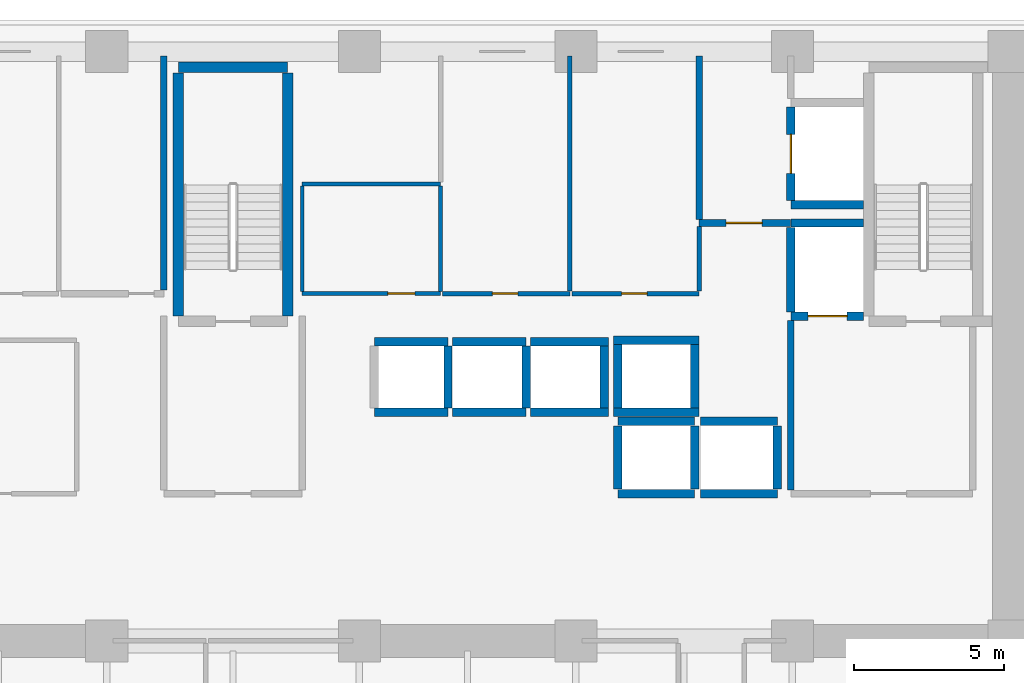
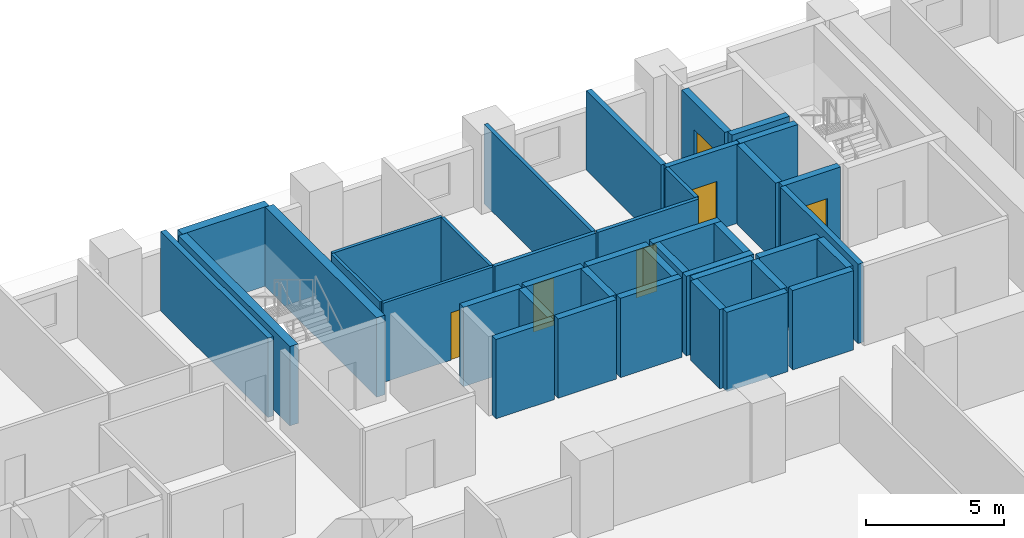
# One storey, part 8 of 15: 40 walls, 6 doors, 6 openings.
"""IFC4 building model written with IfcOpenShell, lengths in metres."""

from ifc_helpers import new_model, si_unit, direction, frame, frame_2d, origin, place, context, subcontext, project, spatial, rectangle, extrude, material, layer, layer_set, type_object, element, fill, save


model = new_model("IFC4")

# Units and contexts
model_context = context("Model", 3, precision=1e-05, world=origin(), true_north=direction((0.0, 1.0)))
body_context = subcontext(model_context, "Body", "Model", "MODEL_VIEW")
ifc_project = project(units=[si_unit("LENGTHUNIT", "METRE"), si_unit("AREAUNIT", "SQUARE_METRE"), si_unit("VOLUMEUNIT", "CUBIC_METRE"), si_unit("PLANEANGLEUNIT", "RADIAN"), si_unit("MASSUNIT", "GRAM", prefix="KILO")], contexts=[model_context])

# Site, building, storey
site_placement = place(None, origin())
site = spatial("IfcSite", under=ifc_project, at=site_placement, CompositionType="ELEMENT")
building_placement = place(site_placement, origin())
building = spatial("IfcBuilding", under=site, at=building_placement, Name="Kaelvorn Grand Hotel", CompositionType="ELEMENT")
storey_placement = place(building_placement, frame((0.0, 0.0, 46.39990234375)))
storey = spatial("IfcBuildingStorey", under=building, at=storey_placement, Name="L09", CompositionType="ELEMENT", Elevation=46.39990234375)

# Wall, opening, door
ifc_material_1 = material(Name="Moisture-Resistant Tile & Stud Board")
ifc_layer_1 = layer(ifc_material_1, 0.125)
ifc_layer_set_1 = layer_set([ifc_layer_1], Name="Moisture-Resistant Tile & Stud Board")
wall_type_1 = type_object("IfcWallType", Name="WL-PART-125-WET", PredefinedType="PARTITIONING", material=ifc_layer_set_1)
wall_1_placement = place(storey_placement, frame((44.300048828125, 40.949951171875, 0.0), z_axis=(0.0, 0.0, 1.0), x_axis=(1.0, 0.0, 0.0)))
wall_1 = element("IfcWall", 1, at=wall_1_placement, inside=storey, type_object=wall_type_1, Name="L09 Accessible WC S Partition", PredefinedType="PARTITIONING", context=body_context, shape_type="SweptSolid", body=[
    extrude(rectangle(XDim=4.599853515625, YDim=0.125, at=frame_2d((2.2998046875, 0.0))), origin(), (0.0, 0.0, 1.0), 3.510009765625),
])
opening_1_placement = place(wall_1_placement, frame((2.85009765625, 0.0, 0.0)))
opening_1 = element("IfcOpeningElement", 2, at=opening_1_placement, cuts=wall_1, Name="Opening DI4", PredefinedType="OPENING", context=body_context, shape_type="SweptSolid", body=[
    extrude(rectangle(XDim=0.89990234375, YDim=2.10009765625, at=frame_2d((0.449951171875, 1.050048828125))), frame((0.0, 0.072509765625, 0.0), z_axis=(0.0, -1.0, 0.0), x_axis=(1.0, 0.0, 0.0)), (0.0, 0.0, 1.0), 0.14501953125),
])
ifc_material_2 = material(Name="Timber Veneer Leaf", Category="wood")
door_type_1 = type_object("IfcDoorType", Name="DR-INT-BATH-900x2100", OperationType="NOTDEFINED", PredefinedType="DOOR", material=ifc_material_2)
door_1_placement = place(opening_1_placement, origin())
door_1 = element("IfcDoor", 3, at=door_1_placement, inside=storey, type_object=door_type_1, Name="L09 Accessible WC Door", OperationType="SINGLE_SWING_RIGHT", OverallHeight=2.10009765625, OverallWidth=0.89990234375, PredefinedType="DOOR", context=body_context, shape_type="SweptSolid", body=[
    extrude(rectangle(XDim=0.89990234375, YDim=2.10009765625, at=frame_2d((0.449951171875, 1.050048828125))), frame((0.0, 0.02490234375, 0.0), z_axis=(0.0, -1.0, 0.0), x_axis=(1.0, 0.0, 0.0)), (0.0, 0.0, 1.0), 0.050048828125),
])
fill(opening_1, door_1)

# Walls
wall_2_placement = place(storey_placement, frame((44.300048828125, 44.60009765625, 0.0), z_axis=(0.0, 0.0, 1.0), x_axis=(1.0, 0.0, 0.0)))
element("IfcWall", 4, at=wall_2_placement, inside=storey, type_object=wall_type_1, Name="L09 Accessible WC N Partition", PredefinedType="PARTITIONING", context=body_context, shape_type="SweptSolid", body=[
    extrude(rectangle(XDim=4.599853515625, YDim=0.125, at=frame_2d((2.2998046875, 0.0))), origin(), (0.0, 0.0, 1.0), 3.510009765625),
])
for number, where, z_axis, x_axis, name in (
    (5, (44.300048828125, 41.017578125, 0.0), (0.0, 0.0, 1.0), (0.0, 1.0, 0.0), "L09 Accessible WC W Partition"),
    (6, (48.89990234375, 41.017578125, 0.0), (0.0, 0.0, 1.0), (0.0, 1.0, 0.0), "L09 Accessible WC E Partition"),
):
    element("IfcWall", number, at=place(storey_placement, frame(where, z_axis=z_axis, x_axis=x_axis)), inside=storey, type_object=wall_type_1, Name=name, PredefinedType="PARTITIONING", context=body_context, shape_type="SweptSolid", body=[
        extrude(rectangle(XDim=3.514892578125, YDim=0.125, at=frame_2d((1.75732421875, 0.0))), origin(), (0.0, 0.0, 1.0), 3.510009765625),
    ])

# Wall, opening, door
ifc_material_3 = material(Name="Acoustic Gypsum & Stud Partition")
ifc_layer_2 = layer(ifc_material_3, 0.14990234375)
ifc_layer_set_2 = layer_set([ifc_layer_2], Name="Acoustic Gypsum & Stud Partition")
wall_type_2 = type_object("IfcWallType", Name="WL-PART-150-EI60", PredefinedType="PARTITIONING", material=ifc_layer_set_2)
wall_3_placement = place(storey_placement, frame((48.967529296875, 40.949951171875, 0.0), z_axis=(0.0, 0.0, 1.0), x_axis=(1.0, 0.0, 0.0)))
wall_3 = element("IfcWall", 7, at=wall_3_placement, inside=storey, type_object=wall_type_2, Name="L09 Minibar & Glassware Store S Partition", PredefinedType="PARTITIONING", context=body_context, shape_type="SweptSolid", body=[
    extrude(rectangle(XDim=4.232421875, YDim=0.14990234375, at=frame_2d((2.1162109375, 0.0))), origin(), (0.0, 0.0, 1.0), 3.510009765625),
])
opening_2_placement = place(wall_3_placement, frame((1.657470703125, 0.0, 0.0)))
opening_2 = element("IfcOpeningElement", 8, at=opening_2_placement, cuts=wall_3, Name="Opening DI7", PredefinedType="OPENING", context=body_context, shape_type="SweptSolid", body=[
    extrude(rectangle(XDim=0.85009765625, YDim=2.10009765625, at=frame_2d((0.425048828125, 1.050048828125))), frame((0.0, 0.0849609375, 0.0), z_axis=(0.0, -1.0, 0.0), x_axis=(1.0, 0.0, 0.0)), (0.0, 0.0, 1.0), 0.169921875),
])
ifc_material_4 = material(Name="Powder-Coated Steel Leaf", Category="steel")
door_type_2 = type_object("IfcDoorType", Name="DR-INT-RISER-850x2100", OperationType="NOTDEFINED", PredefinedType="DOOR", material=ifc_material_4)
door_2_placement = place(opening_2_placement, origin())
door_2 = element("IfcDoor", 9, at=door_2_placement, inside=storey, type_object=door_type_2, Name="L09 Minibar & Glassware Store Door", OperationType="SINGLE_SWING_LEFT", OverallHeight=2.10009765625, OverallWidth=0.85009765625, PredefinedType="DOOR", context=body_context, shape_type="SweptSolid", body=[
    extrude(rectangle(XDim=0.85009765625, YDim=2.10009765625, at=frame_2d((0.425048828125, 1.050048828125))), frame((0.0, 0.02490234375, 0.0), z_axis=(0.0, -1.0, 0.0), x_axis=(1.0, 0.0, 0.0)), (0.0, 0.0, 1.0), 0.050048828125),
])
fill(opening_2, door_2)

# Wall
wall_4_placement = place(storey_placement, frame((53.199951171875, 41.030029296875, 0.0), z_axis=(0.0, 0.0, 1.0), x_axis=(0.0, 1.0, 0.0)))
element("IfcWall", 10, at=wall_4_placement, inside=storey, type_object=wall_type_2, Name="L09 Minibar & Glassware Store E Partition", PredefinedType="PARTITIONING", context=body_context, shape_type="SweptSolid", body=[
    extrude(rectangle(XDim=7.820068359375, YDim=0.14990234375, at=frame_2d((3.91015625, 0.0))), origin(), (0.0, 0.0, 1.0), 3.510009765625),
])

# Wall, opening, door
wall_5_placement = place(storey_placement, frame((53.280029296875, 40.949951171875, 0.0), z_axis=(0.0, 0.0, 1.0), x_axis=(1.0, 0.0, 0.0)))
wall_5 = element("IfcWall", 11, at=wall_5_placement, inside=storey, type_object=wall_type_2, Name="L09 Floor IT & Comms Room S Partition", PredefinedType="PARTITIONING", context=body_context, shape_type="SweptSolid", body=[
    extrude(rectangle(XDim=4.219970703125, YDim=0.14990234375, at=frame_2d((2.10986328125, 0.0))), origin(), (0.0, 0.0, 1.0), 3.510009765625),
])
opening_3_placement = place(wall_5_placement, frame((1.64501953125, 0.0, 0.0)))
opening_3 = element("IfcOpeningElement", 12, at=opening_3_placement, cuts=wall_5, Name="Opening DI7", PredefinedType="OPENING", context=body_context, shape_type="SweptSolid", body=[
    extrude(rectangle(XDim=0.85009765625, YDim=2.10009765625, at=frame_2d((0.425048828125, 1.050048828125))), frame((0.0, 0.0849609375, 0.0), z_axis=(0.0, -1.0, 0.0), x_axis=(1.0, 0.0, 0.0)), (0.0, 0.0, 1.0), 0.169921875),
])
door_3_placement = place(opening_3_placement, origin())
door_3 = element("IfcDoor", 13, at=door_3_placement, inside=storey, type_object=door_type_2, Name="L09 Floor IT & Comms Room Door", OperationType="SINGLE_SWING_RIGHT", OverallHeight=2.10009765625, OverallWidth=0.85009765625, PredefinedType="DOOR", context=body_context, shape_type="SweptSolid", body=[
    extrude(rectangle(XDim=0.85009765625, YDim=2.10009765625, at=frame_2d((0.425048828125, 1.050048828125))), frame((0.0, 0.02490234375, 0.0), z_axis=(0.0, -1.0, 0.0), x_axis=(1.0, 0.0, 0.0)), (0.0, 0.0, 1.0), 0.050048828125),
])
fill(opening_3, door_3)

# Walls
wall_6_placement = place(storey_placement, frame((57.5, 41.030029296875, 0.0), z_axis=(0.0, 0.0, 1.0), x_axis=(0.0, 1.0, 0.0)))
element("IfcWall", 14, at=wall_6_placement, inside=storey, type_object=wall_type_2, Name="L09 Floor IT & Comms Room E Partition", PredefinedType="PARTITIONING", context=body_context, shape_type="SweptSolid", body=[
    extrude(rectangle(XDim=2.155029296875, YDim=0.14990234375, at=frame_2d((1.07763671875, 0.0))), origin(), (0.0, 0.0, 1.0), 3.510009765625),
])
ifc_material_5 = material(Name="Concrete C40/50", Category="concrete")
ifc_layer_3 = layer(ifc_material_5, 0.219970703125)
ifc_layer_set_3 = layer_set([ifc_layer_3], Name="Concrete C40/50")
wall_type_3 = type_object("IfcWallType", Name="WL-PART-220-EI120", PredefinedType="PARTITIONING", material=ifc_layer_set_3)
wall_7_placement = place(storey_placement, frame((60.550048828125, 34.4150390625, 0.0), z_axis=(0.0, 0.0, 1.0), x_axis=(0.0, 1.0, 0.0)))
element("IfcWall", 15, at=wall_7_placement, inside=storey, type_object=wall_type_3, Name="L09 Firefighting Lift Lobby 2 W Partition", PredefinedType="PARTITIONING", context=body_context, shape_type="SweptSolid", body=[
    extrude(rectangle(XDim=5.639892578125, YDim=0.219970703125, at=frame_2d((2.81982421875, 0.0))), origin(), (0.0, 0.0, 1.0), 3.510009765625),
])

# Wall, opening, door
wall_8_placement = place(storey_placement, frame((57.5, 43.300048828125, 0.0), z_axis=(0.0, 0.0, 1.0), x_axis=(1.0, 0.0, 0.0)))
wall_8 = element("IfcWall", 16, at=wall_8_placement, inside=storey, type_object=wall_type_3, Name="L09 Service Lift Lobby S Partition", PredefinedType="PARTITIONING", context=body_context, shape_type="SweptSolid", body=[
    extrude(rectangle(XDim=3.0400390625, YDim=0.219970703125, at=frame_2d((1.52001953125, 0.0))), origin(), (0.0, 0.0, 1.0), 3.510009765625),
])
opening_4_placement = place(wall_8_placement, frame((0.89990234375, 0.0, 0.0)))
opening_4 = element("IfcOpeningElement", 17, at=opening_4_placement, cuts=wall_8, Name="Opening DI2", PredefinedType="OPENING", context=body_context, shape_type="SweptSolid", body=[
    extrude(rectangle(XDim=1.199951171875, YDim=2.14990234375, at=frame_2d((0.60009765625, 1.074951171875))), frame((0.0, 0.1201171875, 0.0), z_axis=(0.0, -1.0, 0.0), x_axis=(1.0, 0.0, 0.0)), (0.0, 0.0, 1.0), 0.239990234375),
])
ifc_material_6 = material(Name="Timber Veneer Fire Leaf", Category="wood")
door_type_3 = type_object("IfcDoorType", Name="DR-INT-FFLOB-1200x2150", OperationType="NOTDEFINED", PredefinedType="DOOR", material=ifc_material_6)
door_4_placement = place(opening_4_placement, origin())
door_4 = element("IfcDoor", 18, at=door_4_placement, inside=storey, type_object=door_type_3, Name="L09 Service Lift Lobby Door", OperationType="SINGLE_SWING_LEFT", OverallHeight=2.14990234375, OverallWidth=1.199951171875, PredefinedType="DOOR", context=body_context, shape_type="SweptSolid", body=[
    extrude(rectangle(XDim=1.199951171875, YDim=2.14990234375, at=frame_2d((0.60009765625, 1.074951171875))), frame((0.0, 0.02490234375, 0.0), z_axis=(0.0, -1.0, 0.0), x_axis=(1.0, 0.0, 0.0)), (0.0, 0.0, 1.0), 0.050048828125),
])
fill(opening_4, door_4)

# Walls
wall_9_placement = place(storey_placement, frame((57.5, 43.4150390625, 0.0), z_axis=(0.0, 0.0, 1.0), x_axis=(0.0, 1.0, 0.0)))
element("IfcWall", 19, at=wall_9_placement, inside=storey, type_object=wall_type_3, Name="L09 Service Lift Lobby W Partition", PredefinedType="PARTITIONING", context=body_context, shape_type="SweptSolid", body=[
    extrude(rectangle(XDim=5.43505859375, YDim=0.219970703125, at=frame_2d((2.717529296875, 0.0))), origin(), (0.0, 0.0, 1.0), 3.510009765625),
])
wall_10_placement = place(storey_placement, frame((39.699951171875, 41.06494140625, 0.0), z_axis=(0.0, 0.0, 1.0), x_axis=(0.0, 1.0, 0.0)))
element("IfcWall", 20, at=wall_10_placement, inside=storey, type_object=wall_type_3, Name="L09 LV Electrical & Metering Room E Partition", PredefinedType="PARTITIONING", context=body_context, shape_type="SweptSolid", body=[
    extrude(rectangle(XDim=7.78515625, YDim=0.219970703125, at=frame_2d((3.892578125, 0.0))), origin(), (0.0, 0.0, 1.0), 3.510009765625),
])
ifc_material_7 = material(Name="Concrete C50/60", Category="concrete")
ifc_layer_4 = layer(ifc_material_7, 0.280029296875)
ifc_layer_set_4 = layer_set([ifc_layer_4], Name="Concrete C50/60")
wall_type_4 = type_object("IfcWallType", Name="WL-SHAFT-280-C50", PredefinedType="SHEAR", material=ifc_layer_set_4)
for number, where, z_axis, x_axis, name in (
    (21, (46.699951171875, 37.0, 0.0), (0.0, 0.0, 1.0), (1.0, 0.0, 0.0), "L09 Lift SL-1 Shaft South Wall"),
    (22, (46.699951171875, 39.35009765625, 0.0), (0.0, 0.0, 1.0), (1.0, 0.0, 0.0), "L09 Lift SL-1 Shaft North Wall"),
):
    element("IfcWall", number, at=place(storey_placement, frame(where, z_axis=z_axis, x_axis=x_axis)), inside=storey, type_object=wall_type_4, Name=name, PredefinedType="SHEAR", context=body_context, shape_type="SweptSolid", body=[
        extrude(rectangle(XDim=2.449951171875, YDim=0.280029296875, at=frame_2d((1.22509765625, 0.0))), origin(), (0.0, 0.0, 1.0), 3.510009765625),
    ])
wall_11_placement = place(storey_placement, frame((49.14990234375, 37.14501953125, 0.0), z_axis=(0.0, 0.0, 1.0), x_axis=(0.0, 1.0, 0.0)))
element("IfcWall", 23, at=wall_11_placement, inside=storey, type_object=wall_type_4, Name="L09 Lift SL-1 Shaft East Wall", PredefinedType="SHEAR", context=body_context, shape_type="SweptSolid", body=[
    extrude(rectangle(XDim=2.06005859375, YDim=0.280029296875, at=frame_2d((1.030029296875, 0.0))), origin(), (0.0, 0.0, 1.0), 3.510009765625),
])
for number, where, z_axis, x_axis, name in (
    (24, (49.300048828125, 37.0, 0.0), (0.0, 0.0, 1.0), (1.0, 0.0, 0.0), "L09 Lift SL-2 Shaft South Wall"),
    (25, (49.300048828125, 39.35009765625, 0.0), (0.0, 0.0, 1.0), (1.0, 0.0, 0.0), "L09 Lift SL-2 Shaft North Wall"),
):
    element("IfcWall", number, at=place(storey_placement, frame(where, z_axis=z_axis, x_axis=x_axis)), inside=storey, type_object=wall_type_4, Name=name, PredefinedType="SHEAR", context=body_context, shape_type="SweptSolid", body=[
        extrude(rectangle(XDim=2.449951171875, YDim=0.280029296875, at=frame_2d((1.22509765625, 0.0))), origin(), (0.0, 0.0, 1.0), 3.510009765625),
    ])
wall_12_placement = place(storey_placement, frame((51.75, 37.14501953125, 0.0), z_axis=(0.0, 0.0, 1.0), x_axis=(0.0, 1.0, 0.0)))
element("IfcWall", 26, at=wall_12_placement, inside=storey, type_object=wall_type_4, Name="L09 Lift SL-2 Shaft East Wall", PredefinedType="SHEAR", context=body_context, shape_type="SweptSolid", body=[
    extrude(rectangle(XDim=2.06005859375, YDim=0.280029296875, at=frame_2d((1.030029296875, 0.0))), origin(), (0.0, 0.0, 1.0), 3.510009765625),
])
for number, where, z_axis, x_axis, name in (
    (27, (51.89990234375, 37.0, 0.0), (0.0, 0.0, 1.0), (1.0, 0.0, 0.0), "L09 Lift SL-3 Shaft South Wall"),
    (28, (51.89990234375, 39.35009765625, 0.0), (0.0, 0.0, 1.0), (1.0, 0.0, 0.0), "L09 Lift SL-3 Shaft North Wall"),
):
    element("IfcWall", number, at=place(storey_placement, frame(where, z_axis=z_axis, x_axis=x_axis)), inside=storey, type_object=wall_type_4, Name=name, PredefinedType="SHEAR", context=body_context, shape_type="SweptSolid", body=[
        extrude(rectangle(XDim=2.590087890625, YDim=0.280029296875, at=frame_2d((1.294921875, 0.0))), origin(), (0.0, 0.0, 1.0), 3.510009765625),
    ])
wall_13_placement = place(storey_placement, frame((54.35009765625, 37.14501953125, 0.0), z_axis=(0.0, 0.0, 1.0), x_axis=(0.0, 1.0, 0.0)))
element("IfcWall", 29, at=wall_13_placement, inside=storey, type_object=wall_type_4, Name="L09 Lift SL-3 Shaft East Wall", PredefinedType="SHEAR", context=body_context, shape_type="SweptSolid", body=[
    extrude(rectangle(XDim=2.06005859375, YDim=0.280029296875, at=frame_2d((1.030029296875, 0.0))), origin(), (0.0, 0.0, 1.0), 3.510009765625),
])
for number, where, z_axis, x_axis, name in (
    (30, (54.800048828125, 34.300048828125, 0.0), (0.0, 0.0, 1.0), (1.0, 0.0, 0.0), "L09 Lift OL-1 Shaft South Wall"),
    (31, (54.800048828125, 36.699951171875, 0.0), (0.0, 0.0, 1.0), (1.0, 0.0, 0.0), "L09 Lift OL-1 Shaft North Wall"),
):
    element("IfcWall", number, at=place(storey_placement, frame(where, z_axis=z_axis, x_axis=x_axis)), inside=storey, type_object=wall_type_4, Name=name, PredefinedType="SHEAR", context=body_context, shape_type="SweptSolid", body=[
        extrude(rectangle(XDim=2.550048828125, YDim=0.280029296875, at=frame_2d((1.27490234375, 0.0))), origin(), (0.0, 0.0, 1.0), 3.510009765625),
    ])
for number, where, z_axis, x_axis, name in (
    (32, (54.800048828125, 34.445068359375, 0.0), (0.0, 0.0, 1.0), (0.0, 1.0, 0.0), "L09 Lift OL-1 Shaft West Wall"),
    (33, (57.35009765625, 34.445068359375, 0.0), (0.0, 0.0, 1.0), (0.0, 1.0, 0.0), "L09 Lift OL-1 Shaft East Wall"),
):
    element("IfcWall", number, at=place(storey_placement, frame(where, z_axis=z_axis, x_axis=x_axis)), inside=storey, type_object=wall_type_4, Name=name, PredefinedType="SHEAR", context=body_context, shape_type="SweptSolid", body=[
        extrude(rectangle(XDim=2.10986328125, YDim=0.280029296875, at=frame_2d((1.054931640625, 0.0))), origin(), (0.0, 0.0, 1.0), 3.510009765625),
    ])
for number, where, z_axis, x_axis, name in (
    (34, (57.550048828125, 34.300048828125, 0.0), (0.0, 0.0, 1.0), (1.0, 0.0, 0.0), "L09 Lift OL-2 Shaft South Wall"),
    (35, (57.550048828125, 36.699951171875, 0.0), (0.0, 0.0, 1.0), (1.0, 0.0, 0.0), "L09 Lift OL-2 Shaft North Wall"),
):
    element("IfcWall", number, at=place(storey_placement, frame(where, z_axis=z_axis, x_axis=x_axis)), inside=storey, type_object=wall_type_4, Name=name, PredefinedType="SHEAR", context=body_context, shape_type="SweptSolid", body=[
        extrude(rectangle(XDim=2.550048828125, YDim=0.280029296875, at=frame_2d((1.27490234375, 0.0))), origin(), (0.0, 0.0, 1.0), 3.510009765625),
    ])
wall_14_placement = place(storey_placement, frame((60.10009765625, 34.445068359375, 0.0), z_axis=(0.0, 0.0, 1.0), x_axis=(0.0, 1.0, 0.0)))
element("IfcWall", 36, at=wall_14_placement, inside=storey, type_object=wall_type_4, Name="L09 Lift OL-2 Shaft East Wall", PredefinedType="SHEAR", context=body_context, shape_type="SweptSolid", body=[
    extrude(rectangle(XDim=2.10986328125, YDim=0.280029296875, at=frame_2d((1.054931640625, 0.0))), origin(), (0.0, 0.0, 1.0), 3.510009765625),
])
for number, where, z_axis, x_axis, name in (
    (37, (54.659912109375, 37.0, 0.0), (0.0, 0.0, 1.0), (1.0, 0.0, 0.0), "L09 Lift OL-3 Shaft South Wall"),
    (38, (54.659912109375, 39.39990234375, 0.0), (0.0, 0.0, 1.0), (1.0, 0.0, 0.0), "L09 Lift OL-3 Shaft North Wall"),
):
    element("IfcWall", number, at=place(storey_placement, frame(where, z_axis=z_axis, x_axis=x_axis)), inside=storey, type_object=wall_type_4, Name=name, PredefinedType="SHEAR", context=body_context, shape_type="SweptSolid", body=[
        extrude(rectangle(XDim=2.830078125, YDim=0.280029296875, at=frame_2d((1.4150390625, 0.0))), origin(), (0.0, 0.0, 1.0), 3.510009765625),
    ])
for number, where, z_axis, x_axis, name in (
    (39, (54.800048828125, 37.14501953125, 0.0), (0.0, 0.0, 1.0), (0.0, 1.0, 0.0), "L09 Lift OL-3 Shaft West Wall"),
    (40, (57.35009765625, 37.14501953125, 0.0), (0.0, 0.0, 1.0), (0.0, 1.0, 0.0), "L09 Lift OL-3 Shaft East Wall"),
):
    element("IfcWall", number, at=place(storey_placement, frame(where, z_axis=z_axis, x_axis=x_axis)), inside=storey, type_object=wall_type_4, Name=name, PredefinedType="SHEAR", context=body_context, shape_type="SweptSolid", body=[
        extrude(rectangle(XDim=2.10986328125, YDim=0.280029296875, at=frame_2d((1.054931640625, 0.0))), origin(), (0.0, 0.0, 1.0), 3.510009765625),
    ])

# Wall, opening, door
wall_15_placement = place(storey_placement, frame((60.550048828125, 40.199951171875, 0.0), z_axis=(0.0, 0.0, 1.0), x_axis=(1.0, 0.0, 0.0)))
wall_15 = element("IfcWall", 41, at=wall_15_placement, inside=storey, type_object=wall_type_4, Name="L09 Lift FFL2 Shaft South Wall", PredefinedType="SHEAR", context=body_context, shape_type="SweptSolid", body=[
    extrude(rectangle(XDim=2.4150390625, YDim=0.280029296875, at=frame_2d((1.20751953125, 0.0))), origin(), (0.0, 0.0, 1.0), 3.510009765625),
])
opening_5_placement = place(wall_15_placement, frame((0.574951171875, 0.0, 0.0)))
opening_5 = element("IfcOpeningElement", 42, at=opening_5_placement, cuts=wall_15, Name="Opening LD-FFL2", PredefinedType="OPENING", context=body_context, shape_type="SweptSolid", body=[
    extrude(rectangle(XDim=1.300048828125, YDim=2.300048828125, at=frame_2d((0.64990234375, 1.14990234375))), frame((0.0, 0.14990234375, 0.0), z_axis=(0.0, -1.0, 0.0), x_axis=(1.0, 0.0, 0.0)), (0.0, 0.0, 1.0), 0.300048828125),
])
ifc_material_8 = material(Name="Stainless Steel", Category="steel")
door_type_4 = type_object("IfcDoorType", Name="DR-LIFT-SERV-1300x2300", OperationType="DOUBLE_DOOR_SLIDING", PredefinedType="DOOR", material=ifc_material_8)
door_5_placement = place(opening_5_placement, origin())
door_5 = element("IfcDoor", 43, at=door_5_placement, inside=storey, type_object=door_type_4, Name="L09 Lift FFL2 Sliding Landing Door LD-FFL2", OperationType="DOUBLE_DOOR_SLIDING", OverallHeight=2.300048828125, OverallWidth=1.300048828125, PredefinedType="DOOR", context=body_context, shape_type="SweptSolid", body=[
    extrude(rectangle(XDim=1.300048828125, YDim=2.300048828125, at=frame_2d((0.64990234375, 1.14990234375))), frame((0.0, 0.02490234375, 0.0), z_axis=(0.0, -1.0, 0.0), x_axis=(1.0, 0.0, 0.0)), (0.0, 0.0, 1.0), 0.050048828125),
])
fill(opening_5, door_5)

# Walls
wall_16_placement = place(storey_placement, frame((60.550048828125, 43.300048828125, 0.0), z_axis=(0.0, 0.0, 1.0), x_axis=(1.0, 0.0, 0.0)))
element("IfcWall", 44, at=wall_16_placement, inside=storey, type_object=wall_type_4, Name="L09 Lift FFL2 Shaft North Wall", PredefinedType="SHEAR", context=body_context, shape_type="SweptSolid", body=[
    extrude(rectangle(XDim=2.4150390625, YDim=0.280029296875, at=frame_2d((1.20751953125, 0.0))), origin(), (0.0, 0.0, 1.0), 3.510009765625),
])
wall_17_placement = place(storey_placement, frame((60.550048828125, 40.344970703125, 0.0), z_axis=(0.0, 0.0, 1.0), x_axis=(0.0, 1.0, 0.0)))
element("IfcWall", 45, at=wall_17_placement, inside=storey, type_object=wall_type_4, Name="L09 Lift FFL2 Shaft West Wall", PredefinedType="SHEAR", context=body_context, shape_type="SweptSolid", body=[
    extrude(rectangle(XDim=2.81005859375, YDim=0.280029296875, at=frame_2d((1.405029296875, 0.0))), origin(), (0.0, 0.0, 1.0), 3.510009765625),
])
wall_18_placement = place(storey_placement, frame((60.550048828125, 43.89990234375, 0.0), z_axis=(0.0, 0.0, 1.0), x_axis=(1.0, 0.0, 0.0)))
element("IfcWall", 46, at=wall_18_placement, inside=storey, type_object=wall_type_4, Name="L09 Lift SV1 Shaft South Wall", PredefinedType="SHEAR", context=body_context, shape_type="SweptSolid", body=[
    extrude(rectangle(XDim=2.4150390625, YDim=0.280029296875, at=frame_2d((1.20751953125, 0.0))), origin(), (0.0, 0.0, 1.0), 3.510009765625),
])

# Wall, opening, door
wall_19_placement = place(storey_placement, frame((60.550048828125, 44.044921875, 0.0), z_axis=(0.0, 0.0, 1.0), x_axis=(0.0, 1.0, 0.0)))
wall_19 = element("IfcWall", 47, at=wall_19_placement, inside=storey, type_object=wall_type_4, Name="L09 Lift SV1 Shaft West Wall", PredefinedType="SHEAR", context=body_context, shape_type="SweptSolid", body=[
    extrude(rectangle(XDim=3.110107421875, YDim=0.280029296875, at=frame_2d((1.55517578125, 0.0))), origin(), (0.0, 0.0, 1.0), 3.510009765625),
])
opening_6_placement = place(wall_19_placement, frame((0.905029296875, 0.0, 0.0)))
opening_6 = element("IfcOpeningElement", 48, at=opening_6_placement, cuts=wall_19, Name="Opening LD-SV1", PredefinedType="OPENING", context=body_context, shape_type="SweptSolid", body=[
    extrude(rectangle(XDim=1.300048828125, YDim=2.300048828125, at=frame_2d((0.64990234375, 1.14990234375))), frame((0.0, 0.14990234375, 0.0), z_axis=(0.0, -1.0, 0.0), x_axis=(1.0, 0.0, 0.0)), (0.0, 0.0, 1.0), 0.300048828125),
])
door_6_placement = place(opening_6_placement, origin())
door_6 = element("IfcDoor", 49, at=door_6_placement, inside=storey, type_object=door_type_4, Name="L09 Lift SV1 Sliding Landing Door LD-SV1", OperationType="DOUBLE_DOOR_SLIDING", OverallHeight=2.300048828125, OverallWidth=1.300048828125, PredefinedType="DOOR", context=body_context, shape_type="SweptSolid", body=[
    extrude(rectangle(XDim=1.300048828125, YDim=2.300048828125, at=frame_2d((0.64990234375, 1.14990234375))), frame((0.0, 0.02490234375, 0.0), z_axis=(0.0, -1.0, 0.0), x_axis=(1.0, 0.0, 0.0)), (0.0, 0.0, 1.0), 0.050048828125),
])
fill(opening_6, door_6)

# Walls
ifc_material_9 = material(Name="Concrete C60/75", Category="concrete")
ifc_layer_5 = layer(ifc_material_9, 0.35009765625)
ifc_layer_set_5 = layer_set([ifc_layer_5], Name="Concrete C60/75")
wall_type_5 = type_object("IfcWallType", Name="WL-SHAFT-350-C60", PredefinedType="SHEAR", material=ifc_layer_set_5)
wall_20_placement = place(storey_placement, frame((40.18505859375, 48.47509765625, 0.0), z_axis=(0.0, 0.0, 1.0), x_axis=(1.0, 0.0, 0.0)))
element("IfcWall", 50, at=wall_20_placement, inside=storey, type_object=wall_type_5, Name="L09 ST2 Stair Shaft North Wall", PredefinedType="SHEAR", context=body_context, shape_type="SweptSolid", body=[
    extrude(rectangle(XDim=3.6298828125, YDim=0.35009765625, at=frame_2d((1.81494140625, 0.0))), origin(), (0.0, 0.0, 1.0), 3.510009765625),
])
for number, where, z_axis, x_axis, name in (
    (51, (40.18505859375, 40.205078125, 0.0), (0.0, 0.0, 1.0), (0.0, 1.0, 0.0), "L09 ST2 Stair Shaft West Wall"),
    (52, (43.81494140625, 40.205078125, 0.0), (0.0, 0.0, 1.0), (0.0, 1.0, 0.0), "L09 ST2 Stair Shaft East Wall"),
):
    element("IfcWall", number, at=place(storey_placement, frame(where, z_axis=z_axis, x_axis=x_axis)), inside=storey, type_object=wall_type_5, Name=name, PredefinedType="SHEAR", context=body_context, shape_type="SweptSolid", body=[
        extrude(rectangle(XDim=8.08984375, YDim=0.35009765625, at=frame_2d((4.044921875, 0.0))), origin(), (0.0, 0.0, 1.0), 3.510009765625),
    ])

save(model, "model.ifc")
